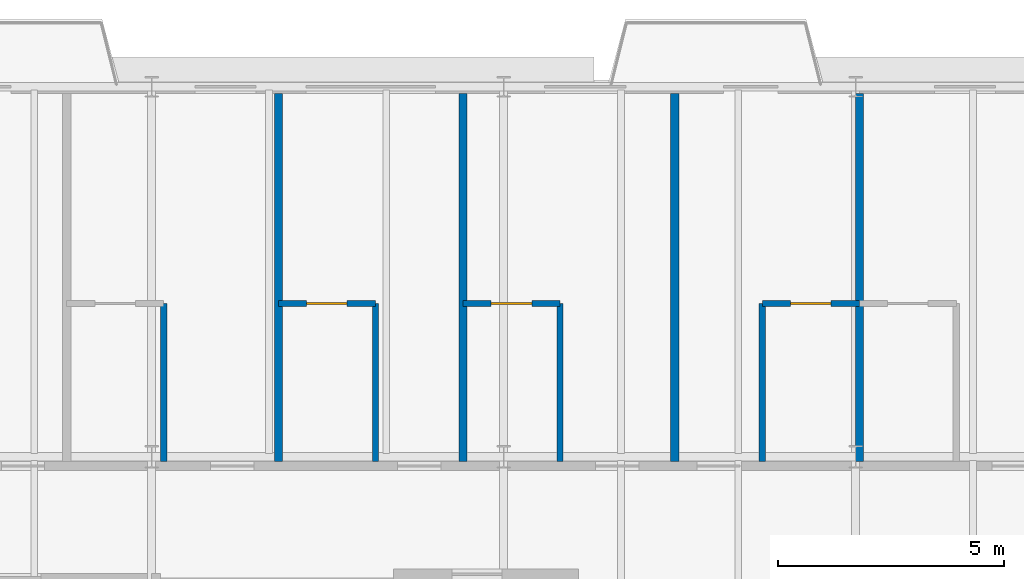
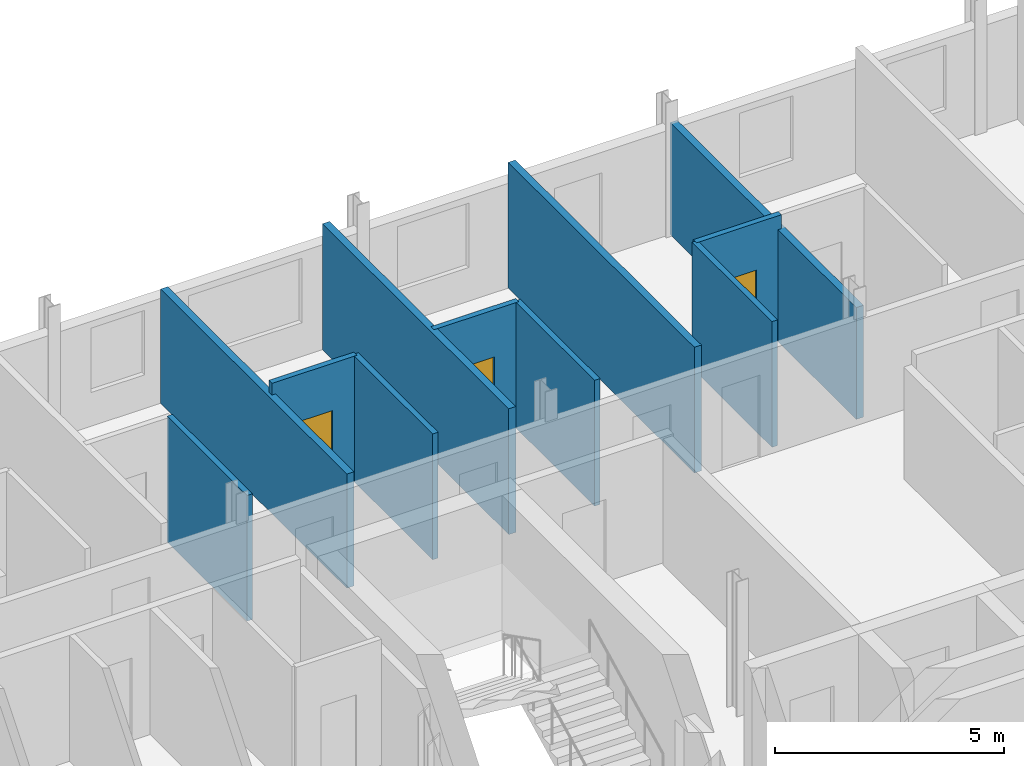
# One storey, part 29 of 36: 11 walls, 3 doors, 3 openings.
"""IFC4 building model written with IfcOpenShell, lengths in metres."""

import ifcopenshell
import ifcopenshell.guid

model = None  # the IFC model being written
_history = None  # IfcOwnerHistory: only IFC2X3 demands one
_inside = {}  # id of a spatial element -> (the spatial element, [elements in it])
_under = {}  # id of a project, library or spatial element -> (it, [spatial elements below it])
_declared = {}  # id of a project -> (the project, [libraries it declares])
_typed = {}  # id of a type object -> (the type object, [elements of that type])
_made_of = {}  # id of a material, layer set ... -> (it, [elements and type objects made of it])


def new_model(schema):
    """Start an empty IFC model of exactly this schema.

    Asked for "IFC4X3", IfcOpenShell would pick the latest addendum, in which some entities
    have other attributes; the version numbers below select the first issue.
    IFC2X3 requires an IfcOwnerHistory on every rooted entity: one is made here for all.
    """
    global model, _history
    if schema == "IFC4X3":
        model = ifcopenshell.file(schema_version=(4, 3, 0, 0))
    else:
        model = ifcopenshell.file(schema=schema)
    _inside.clear()
    _under.clear()
    _declared.clear()
    _typed.clear()
    _made_of.clear()
    _history = None
    if model.schema == "IFC2X3":
        org = make("IfcOrganization", Name="unknown")
        user = make(
            "IfcPersonAndOrganization",
            ThePerson=make("IfcPerson", FamilyName="unknown"),
            TheOrganization=org,
        )
        app = make(
            "IfcApplication",
            ApplicationDeveloper=org,
            Version="unknown",
            ApplicationFullName="unknown",
            ApplicationIdentifier="unknown",
        )
        _history = make(
            "IfcOwnerHistory",
            OwningUser=user,
            OwningApplication=app,
            ChangeAction="ADDED",
            CreationDate=0,
        )
    return model


def make(cls, **values):
    """One entity of the class cls with the attributes given. An attribute that is None is left unset."""
    return model.create_entity(
        cls, **{name: value for name, value in values.items() if value is not None}
    )


def rooted(cls, **values):
    """An entity with a GlobalId (a new one), such as an element, a storey or a relation."""
    return make(cls, GlobalId=ifcopenshell.guid.new(), OwnerHistory=_history, **values)


def si_unit(unit_type, name, prefix=None):
    """IfcSIUnit, for example si_unit("LENGTHUNIT", "METRE", prefix="MILLI")."""
    return make("IfcSIUnit", UnitType=unit_type, Prefix=prefix, Name=name)


def assignment(units):
    """IfcUnitAssignment: the units of a project."""
    return None if units is None else make("IfcUnitAssignment", Units=units)


def point(xyz):
    """IfcCartesianPoint."""
    return None if xyz is None else make("IfcCartesianPoint", Coordinates=xyz)


def direction(xyz):
    """IfcDirection."""
    return None if xyz is None else make("IfcDirection", DirectionRatios=xyz)


def frame(location, z_axis=None, x_axis=None):
    """IfcAxis2Placement3D, a coordinate frame: its origin and axes. An axis left out is left unset."""
    return make(
        "IfcAxis2Placement3D",
        Location=point(location),
        Axis=direction(z_axis),
        RefDirection=direction(x_axis),
    )


def frame_2d(location, x_axis=None):
    """IfcAxis2Placement2D, a coordinate frame in the plane: its origin and x axis."""
    return make(
        "IfcAxis2Placement2D", Location=point(location), RefDirection=direction(x_axis)
    )


def origin():
    """The frame at (0, 0, 0) with its axes left unset."""
    return frame((0.0, 0.0, 0.0))


def place(relative_to, where):
    """IfcLocalPlacement: puts the frame where relative to a parent placement (None: the world)."""
    return make(
        "IfcLocalPlacement", PlacementRelTo=relative_to, RelativePlacement=where
    )


def context(
    kind, dimensions, precision=None, world=None, true_north=None, identifier=None
):
    """IfcGeometricRepresentationContext, for example the 3D "Model" context."""
    return make(
        "IfcGeometricRepresentationContext",
        ContextIdentifier=identifier,
        ContextType=kind,
        CoordinateSpaceDimension=dimensions,
        Precision=precision,
        WorldCoordinateSystem=world,
        TrueNorth=true_north,
    )


def subcontext(parent, identifier, kind, view, scale=None):
    """IfcGeometricRepresentationSubContext, for example "Body" below "Model"."""
    return make(
        "IfcGeometricRepresentationSubContext",
        ContextIdentifier=identifier,
        ContextType=kind,
        ParentContext=parent,
        TargetScale=scale,
        TargetView=view,
    )


def project(units=None, contexts=None):
    """IfcProject with its units and contexts."""
    return rooted(
        "IfcProject",
        Name="project",
        RepresentationContexts=contexts,
        UnitsInContext=assignment(units),
    )


def spatial(cls, under=None, at=None, **own):
    """A site, building, storey or space (cls), placed at a placement, below another one or the project."""
    s = rooted(cls, ObjectPlacement=at, **own)
    if under is not None:
        _under.setdefault(under.id(), (under, []))[1].append(s)
    return s


def profile(cls, at=None, kind="AREA", **sizes):
    """A parametric profile (cls). Its sizes go by their IFC names, for example OverallWidth=200.0."""
    return make(cls, ProfileType=kind, Position=at, **sizes)


def rectangle(**sizes):
    """IfcRectangleProfileDef."""
    return profile("IfcRectangleProfileDef", **sizes)


def extrude(swept, where, along, depth):
    """IfcExtrudedAreaSolid: the profile swept, set in the frame where, extruded along a direction by depth."""
    return make(
        "IfcExtrudedAreaSolid",
        SweptArea=swept,
        Position=where,
        ExtrudedDirection=direction(along),
        Depth=depth,
    )


def shape(context_of_items, identifier, shape_type, items):
    """IfcShapeRepresentation: the items that make up one representation, for example the "Body"."""
    return make(
        "IfcShapeRepresentation",
        ContextOfItems=context_of_items,
        RepresentationIdentifier=identifier,
        RepresentationType=shape_type,
        Items=items,
    )


def material(Name=None, Category=None):
    """IfcMaterial."""
    return make("IfcMaterial", Name=Name, Category=Category)


def layer(
    of_material, thickness, ventilated=None, Name=None, Category=None, Priority=None
):
    """IfcMaterialLayer: one layer of a wall or slab, of a material (None: an air gap)."""
    return make(
        "IfcMaterialLayer",
        Material=of_material,
        LayerThickness=thickness,
        IsVentilated=ventilated,
        Name=Name,
        Category=Category,
        Priority=Priority,
    )


def layer_set(layers, Name=None):
    """IfcMaterialLayerSet."""
    return make("IfcMaterialLayerSet", MaterialLayers=layers, LayerSetName=Name)


def made_of(thing, what):
    """Note that an element or type object is made of a material, layer set ...; save() writes the relation."""
    if what is not None:
        _made_of.setdefault(what.id(), (what, []))[1].append(thing)
    return thing


def type_object(cls, material=None, **own):
    """A type object (cls), such as IfcWallType, which elements share."""
    return made_of(rooted(cls, **own), material)


def element(
    cls,
    number,
    at=None,
    inside=None,
    cuts=None,
    type_object=None,
    material=None,
    context=None,
    identifier="Body",
    shape_type=None,
    held_by="IfcProductDefinitionShape",
    body=None,
    shapes=None,
    **own,
):
    """One element of the class cls, such as IfcWall. Its Tag is "e" and its number.

    at: its placement. inside: the storey or other place that contains it. cuts: it is an
    opening in that element (IfcRelVoidsElement). A single representation is given by context,
    identifier, shape_type and body (its items); several are given by shapes. held_by: the class
    of the entity that holds the representations. save() writes the other relations.
    """
    e = rooted(cls, Tag="e%d" % number, ObjectPlacement=at, **own)
    if body is not None:
        shapes = [shape(context, identifier, shape_type, body)]
    if shapes is not None:
        e.Representation = make(held_by, Representations=shapes)
    if inside is not None:
        _inside.setdefault(inside.id(), (inside, []))[1].append(e)
    if cuts is not None:
        rooted(
            "IfcRelVoidsElement", RelatingBuildingElement=cuts, RelatedOpeningElement=e
        )
    if type_object is not None:
        _typed.setdefault(type_object.id(), (type_object, []))[1].append(e)
    return made_of(e, material)


def fill(opening, filler):
    """IfcRelFillsElement: the door or window that sits in an opening."""
    return rooted(
        "IfcRelFillsElement",
        RelatingOpeningElement=opening,
        RelatedBuildingElement=filler,
    )


def aggregate(whole, parts):
    """IfcRelAggregates: a whole, such as a stair, and the parts it consists of."""
    return rooted("IfcRelAggregates", RelatingObject=whole, RelatedObjects=parts)


def save(model, path):
    """Write the relations noted so far, then the file.

    IfcRelAggregates (storeys below a building ...), IfcRelContainedInSpatialStructure (elements
    in a storey), IfcRelDefinesByType, IfcRelAssociatesMaterial and IfcRelDeclares: one each for
    every whole, place, type object, material and project.
    """
    for whole, parts in _under.values():
        aggregate(whole, parts)
    for where, things in _inside.values():
        rooted(
            "IfcRelContainedInSpatialStructure",
            RelatedElements=things,
            RelatingStructure=where,
        )
    for kind, things in _typed.values():
        rooted("IfcRelDefinesByType", RelatedObjects=things, RelatingType=kind)
    for what, things in _made_of.values():
        rooted("IfcRelAssociatesMaterial", RelatedObjects=things, RelatingMaterial=what)
    for by, libraries in _declared.values():
        rooted("IfcRelDeclares", RelatingContext=by, RelatedDefinitions=libraries)
    model.write(path)


model = new_model("IFC4")

# Units and contexts
model_context = context("Model", 3, precision=1e-05, world=origin(), true_north=direction((0.0, 1.0)))
body_context = subcontext(model_context, "Body", "Model", "MODEL_VIEW")
ifc_project = project(units=[si_unit("LENGTHUNIT", "METRE"), si_unit("AREAUNIT", "SQUARE_METRE"), si_unit("VOLUMEUNIT", "CUBIC_METRE"), si_unit("PLANEANGLEUNIT", "RADIAN"), si_unit("MASSUNIT", "GRAM", prefix="KILO")], contexts=[model_context])

# Site, building, storey
site_placement = place(None, origin())
site = spatial("IfcSite", under=ifc_project, at=site_placement, CompositionType="ELEMENT")
building_placement = place(site_placement, origin())
building = spatial("IfcBuilding", under=site, at=building_placement, Name="Sefraquen Railside Congress Hotel", CompositionType="ELEMENT")
storey_placement = place(building_placement, frame((0.0, 0.0, 28.199951171875)))
storey = spatial("IfcBuildingStorey", under=building, at=storey_placement, Name="L06", CompositionType="ELEMENT", Elevation=28.199951171875)

# Walls
ifc_material_1 = material(Name="Moisture-resistant gypsum board", Category="gypsum")
ifc_layer_1 = layer(ifc_material_1, 0.139892578125)
ifc_layer_set_1 = layer_set([ifc_layer_1], Name="Moisture-resistant gypsum board")
wall_type_1 = type_object("IfcWallType", Name="TW-PW-140", PredefinedType="PARTITIONING", material=ifc_layer_set_1)
for number, where, z_axis, x_axis, name in (
    (1, (64.468017578125, 109.699951171875, 0.0), (0.0, 0.0, 1.0), (0.0, 1.0, 0.0), "En-suite bathroom east wall RM-010"),
    (2, (69.158935546875, 109.699951171875, 0.0), (0.0, 0.0, 1.0), (0.0, 1.0, 0.0), "En-suite bathroom east wall RM-011"),
):
    element("IfcWall", number, at=place(storey_placement, frame(where, z_axis=z_axis, x_axis=x_axis)), inside=storey, type_object=wall_type_1, Name=name, PredefinedType="PARTITIONING", context=body_context, shape_type="SweptSolid", body=[
        extrude(rectangle(XDim=3.5, YDim=0.139892578125, at=frame_2d((1.75, 0.0))), origin(), (0.0, 0.0, 1.0), 3.360107421875),
    ])

# Wall, opening, door
wall_1_placement = place(storey_placement, frame((67.009033203125, 113.199951171875, 0.0), z_axis=(0.0, 0.0, 1.0), x_axis=(1.0, 0.0, 0.0)))
wall_1 = element("IfcWall", 3, at=wall_1_placement, inside=storey, type_object=wall_type_1, Name="En-suite bathroom north wall RM-011", PredefinedType="PARTITIONING", context=body_context, shape_type="SweptSolid", body=[
    extrude(rectangle(XDim=2.14990234375, YDim=0.139892578125, at=frame_2d((1.074951171875, 0.0))), origin(), (0.0, 0.0, 1.0), 3.360107421875),
])
opening_1_placement = place(wall_1_placement, frame((0.625, 0.0, 0.0)))
opening_1 = element("IfcOpeningElement", 4, at=opening_1_placement, cuts=wall_1, Name="Opening ID-02", PredefinedType="OPENING", context=body_context, shape_type="SweptSolid", body=[
    extrude(rectangle(XDim=0.89990234375, YDim=2.10009765625, at=frame_2d((0.449951171875, 1.050048828125))), frame((0.0, 0.079833984375, 0.0), z_axis=(0.0, -1.0, 0.0), x_axis=(1.0, 0.0, 0.0)), (0.0, 0.0, 1.0), 0.159912109375),
])
ifc_material_2 = material(Name="Lacquered cedar joinery", Category="wood")
door_type = type_object("IfcDoorType", Name="TD-ID-02", OperationType="NOTDEFINED", PredefinedType="DOOR", material=ifc_material_2)
door_1_placement = place(opening_1_placement, origin())
door_1 = element("IfcDoor", 5, at=door_1_placement, inside=storey, type_object=door_type, Name="En-suite bathroom door RM-011", OperationType="SINGLE_SWING_LEFT", OverallHeight=2.10009765625, OverallWidth=0.89990234375, PredefinedType="DOOR", context=body_context, shape_type="SweptSolid", body=[
    extrude(rectangle(XDim=0.89990234375, YDim=2.10009765625, at=frame_2d((0.449951171875, 1.050048828125))), frame((0.0, 0.02490234375, 0.0), z_axis=(0.0, -1.0, 0.0), x_axis=(1.0, 0.0, 0.0)), (0.0, 0.0, 1.0), 0.050048828125),
])
fill(opening_1, door_1)

# Wall
wall_2_placement = place(storey_placement, frame((73.25, 109.699951171875, 0.0), z_axis=(0.0, 0.0, 1.0), x_axis=(0.0, 1.0, 0.0)))
element("IfcWall", 6, at=wall_2_placement, inside=storey, type_object=wall_type_1, Name="En-suite bathroom east wall RM-012", PredefinedType="PARTITIONING", context=body_context, shape_type="SweptSolid", body=[
    extrude(rectangle(XDim=3.5, YDim=0.139892578125, at=frame_2d((1.75, 0.0))), origin(), (0.0, 0.0, 1.0), 3.360107421875),
])

# Wall, opening, door
wall_3_placement = place(storey_placement, frame((71.10009765625, 113.199951171875, 0.0), z_axis=(0.0, 0.0, 1.0), x_axis=(1.0, 0.0, 0.0)))
wall_3 = element("IfcWall", 7, at=wall_3_placement, inside=storey, type_object=wall_type_1, Name="En-suite bathroom north wall RM-012", PredefinedType="PARTITIONING", context=body_context, shape_type="SweptSolid", body=[
    extrude(rectangle(XDim=2.14990234375, YDim=0.139892578125, at=frame_2d((1.074951171875, 0.0))), origin(), (0.0, 0.0, 1.0), 3.360107421875),
])
opening_2_placement = place(wall_3_placement, frame((0.625, 0.0, 0.0)))
opening_2 = element("IfcOpeningElement", 8, at=opening_2_placement, cuts=wall_3, Name="Opening ID-02", PredefinedType="OPENING", context=body_context, shape_type="SweptSolid", body=[
    extrude(rectangle(XDim=0.89990234375, YDim=2.10009765625, at=frame_2d((0.449951171875, 1.050048828125))), frame((0.0, 0.079833984375, 0.0), z_axis=(0.0, -1.0, 0.0), x_axis=(1.0, 0.0, 0.0)), (0.0, 0.0, 1.0), 0.159912109375),
])
door_2_placement = place(opening_2_placement, origin())
door_2 = element("IfcDoor", 9, at=door_2_placement, inside=storey, type_object=door_type, Name="En-suite bathroom door RM-012", OperationType="SINGLE_SWING_LEFT", OverallHeight=2.10009765625, OverallWidth=0.89990234375, PredefinedType="DOOR", context=body_context, shape_type="SweptSolid", body=[
    extrude(rectangle(XDim=0.89990234375, YDim=2.10009765625, at=frame_2d((0.449951171875, 1.050048828125))), frame((0.0, 0.02490234375, 0.0), z_axis=(0.0, -1.0, 0.0), x_axis=(1.0, 0.0, 0.0)), (0.0, 0.0, 1.0), 0.050048828125),
])
fill(opening_2, door_2)

# Wall
wall_4_placement = place(storey_placement, frame((77.73193359375, 109.699951171875, 0.0), z_axis=(0.0, 0.0, 1.0), x_axis=(0.0, 1.0, 0.0)))
element("IfcWall", 10, at=wall_4_placement, inside=storey, type_object=wall_type_1, Name="En-suite bathroom west wall RM-013", PredefinedType="PARTITIONING", context=body_context, shape_type="SweptSolid", body=[
    extrude(rectangle(XDim=3.5, YDim=0.139892578125, at=frame_2d((1.75, 0.0))), origin(), (0.0, 0.0, 1.0), 3.360107421875),
])

# Wall, opening, door
wall_5_placement = place(storey_placement, frame((77.73193359375, 113.199951171875, 0.0), z_axis=(0.0, 0.0, 1.0), x_axis=(1.0, 0.0, 0.0)))
wall_5 = element("IfcWall", 11, at=wall_5_placement, inside=storey, type_object=wall_type_1, Name="En-suite bathroom north wall RM-013", PredefinedType="PARTITIONING", context=body_context, shape_type="SweptSolid", body=[
    extrude(rectangle(XDim=2.150146484375, YDim=0.139892578125, at=frame_2d((1.0751953125, 0.0))), origin(), (0.0, 0.0, 1.0), 3.360107421875),
])
opening_3_placement = place(wall_5_placement, frame((0.625, 0.0, 0.0)))
opening_3 = element("IfcOpeningElement", 12, at=opening_3_placement, cuts=wall_5, Name="Opening ID-02", PredefinedType="OPENING", context=body_context, shape_type="SweptSolid", body=[
    extrude(rectangle(XDim=0.89990234375, YDim=2.10009765625, at=frame_2d((0.449951171875, 1.050048828125))), frame((0.0, 0.079833984375, 0.0), z_axis=(0.0, -1.0, 0.0), x_axis=(1.0, 0.0, 0.0)), (0.0, 0.0, 1.0), 0.159912109375),
])
door_3_placement = place(opening_3_placement, origin())
door_3 = element("IfcDoor", 13, at=door_3_placement, inside=storey, type_object=door_type, Name="En-suite bathroom door RM-013", OperationType="SINGLE_SWING_LEFT", OverallHeight=2.10009765625, OverallWidth=0.89990234375, PredefinedType="DOOR", context=body_context, shape_type="SweptSolid", body=[
    extrude(rectangle(XDim=0.89990234375, YDim=2.10009765625, at=frame_2d((0.449951171875, 1.050048828125))), frame((0.0, 0.02490234375, 0.0), z_axis=(0.0, -1.0, 0.0), x_axis=(1.0, 0.0, 0.0)), (0.0, 0.0, 1.0), 0.050048828125),
])
fill(opening_3, door_3)

# Walls
ifc_material_3 = material(Name="Acoustic gypsum board on metal stud", Category="gypsum")
ifc_layer_2 = layer(ifc_material_3, 0.179931640625)
ifc_layer_set_2 = layer_set([ifc_layer_2], Name="Acoustic gypsum board on metal stud")
wall_type_2 = type_object("IfcWallType", Name="TW-PW-180", PredefinedType="PARTITIONING", material=ifc_layer_set_2)
wall_6_placement = place(storey_placement, frame((67.009033203125, 109.699951171875, 0.0), z_axis=(0.0, 0.0, 1.0), x_axis=(0.0, 1.0, 0.0)))
element("IfcWall", 14, at=wall_6_placement, inside=storey, type_object=wall_type_2, Name="Guest room demising wall RM-010", PredefinedType="PARTITIONING", context=body_context, shape_type="SweptSolid", body=[
    extrude(rectangle(XDim=8.150146484375, YDim=0.179931640625, at=frame_2d((4.0751953125, 0.0))), origin(), (0.0, 0.0, 1.0), 3.050048828125),
])
for number, where, z_axis, x_axis, name in (
    (15, (71.10009765625, 109.699951171875, 0.0), (0.0, 0.0, 1.0), (0.0, 1.0, 0.0), "Guest room demising wall RM-011"),
    (16, (75.791015625, 109.699951171875, 0.0), (0.0, 0.0, 1.0), (0.0, 1.0, 0.0), "Guest room demising wall RM-012"),
):
    element("IfcWall", number, at=place(storey_placement, frame(where, z_axis=z_axis, x_axis=x_axis)), inside=storey, type_object=wall_type_2, Name=name, PredefinedType="PARTITIONING", context=body_context, shape_type="SweptSolid", body=[
        extrude(rectangle(XDim=8.150146484375, YDim=0.179931640625, at=frame_2d((4.0751953125, 0.0))), origin(), (0.0, 0.0, 1.0), 3.360107421875),
    ])
wall_7_placement = place(storey_placement, frame((79.882080078125, 109.699951171875, 0.0), z_axis=(0.0, 0.0, 1.0), x_axis=(0.0, 1.0, 0.0)))
element("IfcWall", 17, at=wall_7_placement, inside=storey, type_object=wall_type_2, Name="Guest room demising wall RM-013", PredefinedType="PARTITIONING", context=body_context, shape_type="SweptSolid", body=[
    extrude(rectangle(XDim=8.150146484375, YDim=0.179931640625, at=frame_2d((4.0751953125, 0.0))), origin(), (0.0, 0.0, 1.0), 2.989990234375),
])

save(model, "model.ifc")
